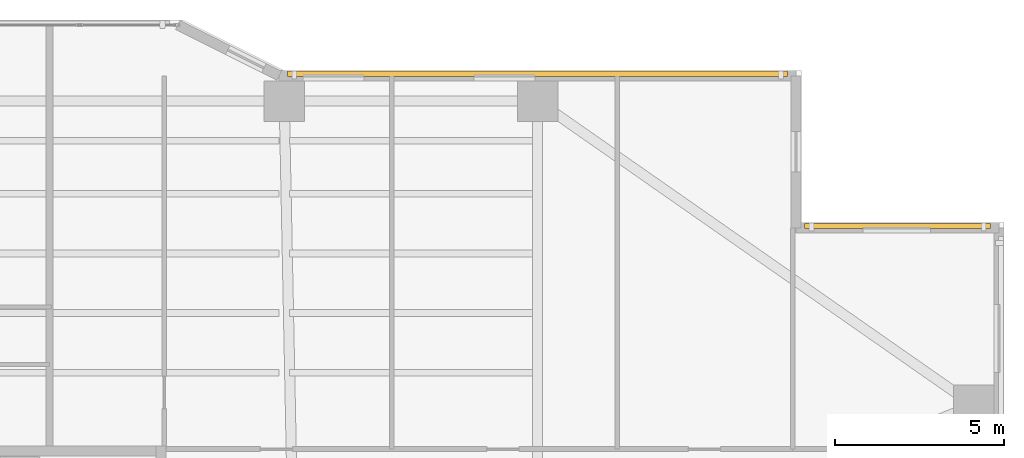
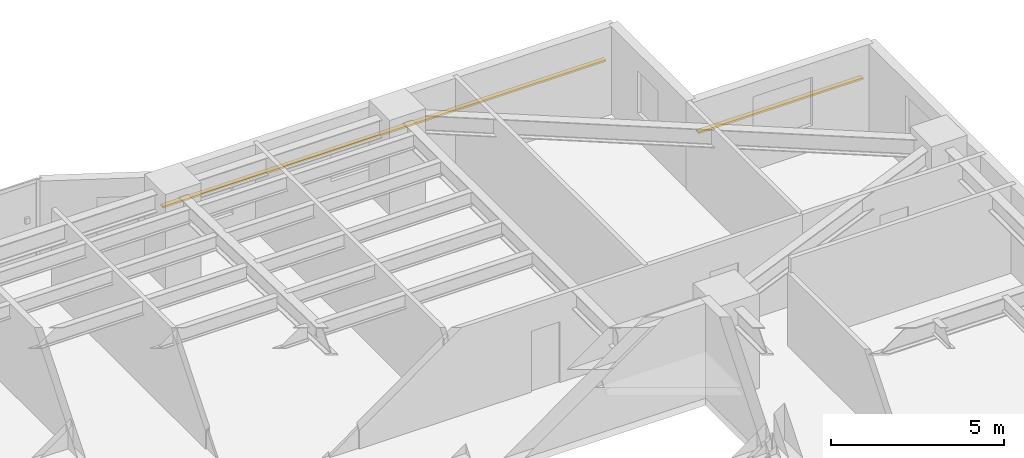
# One storey, part 19 of 19: 2 shading devices.
"""IFC4 building model written with IfcOpenShell, lengths in metres."""

from ifc_helpers import new_model, si_unit, direction, frame, origin, origin_2d, place, context, subcontext, project, spatial, rectangle, extrude, material, material_profile, profile_set, type_object, element, save


model = new_model("IFC4")

# Units and contexts
model_context = context("Model", 3, precision=1e-05, world=origin(), true_north=direction((0.0, 1.0)))
body_context = subcontext(model_context, "Body", "Model", "MODEL_VIEW")
ifc_project = project(units=[si_unit("LENGTHUNIT", "METRE"), si_unit("AREAUNIT", "SQUARE_METRE"), si_unit("VOLUMEUNIT", "CUBIC_METRE"), si_unit("PLANEANGLEUNIT", "RADIAN"), si_unit("MASSUNIT", "GRAM", prefix="KILO")], contexts=[model_context])

# Site, building, storey
site_placement = place(None, origin())
site = spatial("IfcSite", under=ifc_project, at=site_placement, CompositionType="ELEMENT")
building_placement = place(site_placement, origin())
building = spatial("IfcBuilding", under=site, at=building_placement, Name="Tarnavaz Court Tower", CompositionType="ELEMENT")
storey_placement = place(building_placement, frame((0.0, 0.0, 54.14990234375)))
storey = spatial("IfcBuildingStorey", under=building, at=storey_placement, Name="L14", CompositionType="ELEMENT", Elevation=54.14990234375)

# Shading devices
ifc_material = material(Name="Kiln-Fired Khorasan Terracotta Ceramic", Category="masonry")
ifc_material_profile = material_profile(ifc_material, rectangle(XDim=0.14990234375, YDim=0.06494140625, at=origin_2d()), Name="TC BAGUETTE 150X65")
ifc_profile_set = profile_set([ifc_material_profile], Name="Kiln-Fired Khorasan Terracotta Ceramic")
shading_device_type = type_object("IfcShadingDeviceType", Name="SD-BAG-150", PredefinedType="USERDEFINED", material=ifc_profile_set)
shading_device_1_placement = place(storey_placement, frame((7.60009765625, 23.610107421875, 1.85009765625), z_axis=(1.0, 0.0, 0.0), x_axis=(0.0, 1.0, 0.0)))
element("IfcShadingDevice", 1, at=shading_device_1_placement, inside=storey, type_object=shading_device_type, Name="L14 Terracotta Baguette Screen FBG09", ObjectType="BAGUETTE", PredefinedType="USERDEFINED", context=body_context, shape_type="SweptSolid", body=[
    extrude(rectangle(XDim=0.14990234375, YDim=0.06494140625, at=origin_2d()), origin(), (0.0, 0.0, 1.0), 14.7998046875),
])
shading_device_2_placement = place(storey_placement, frame((22.89990234375, 19.110107421875, 1.85009765625), z_axis=(1.0, 0.0, 0.0), x_axis=(0.0, 1.0, 0.0)))
element("IfcShadingDevice", 2, at=shading_device_2_placement, inside=storey, type_object=shading_device_type, Name="L14 Terracotta Baguette Screen FBG11", ObjectType="BAGUETTE", PredefinedType="USERDEFINED", context=body_context, shape_type="SweptSolid", body=[
    extrude(rectangle(XDim=0.14990234375, YDim=0.06494140625, at=origin_2d()), origin(), (0.0, 0.0, 1.0), 5.5),
])

save(model, "model.ifc")
